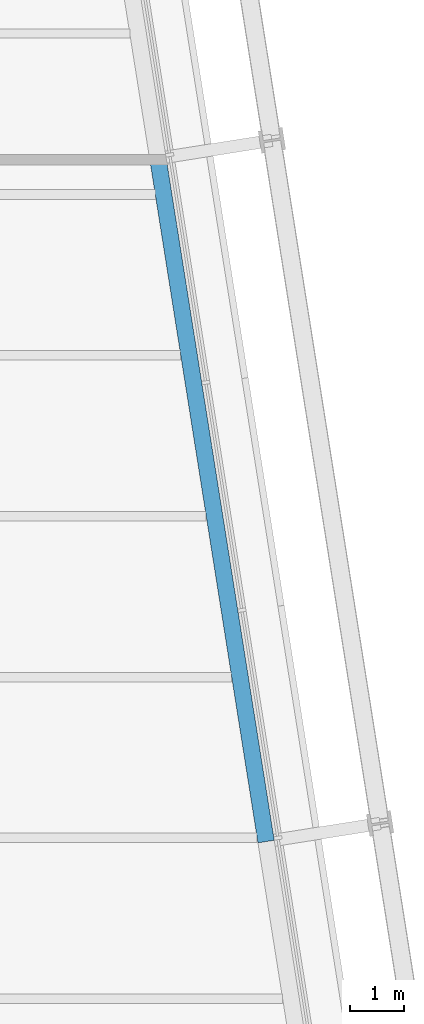
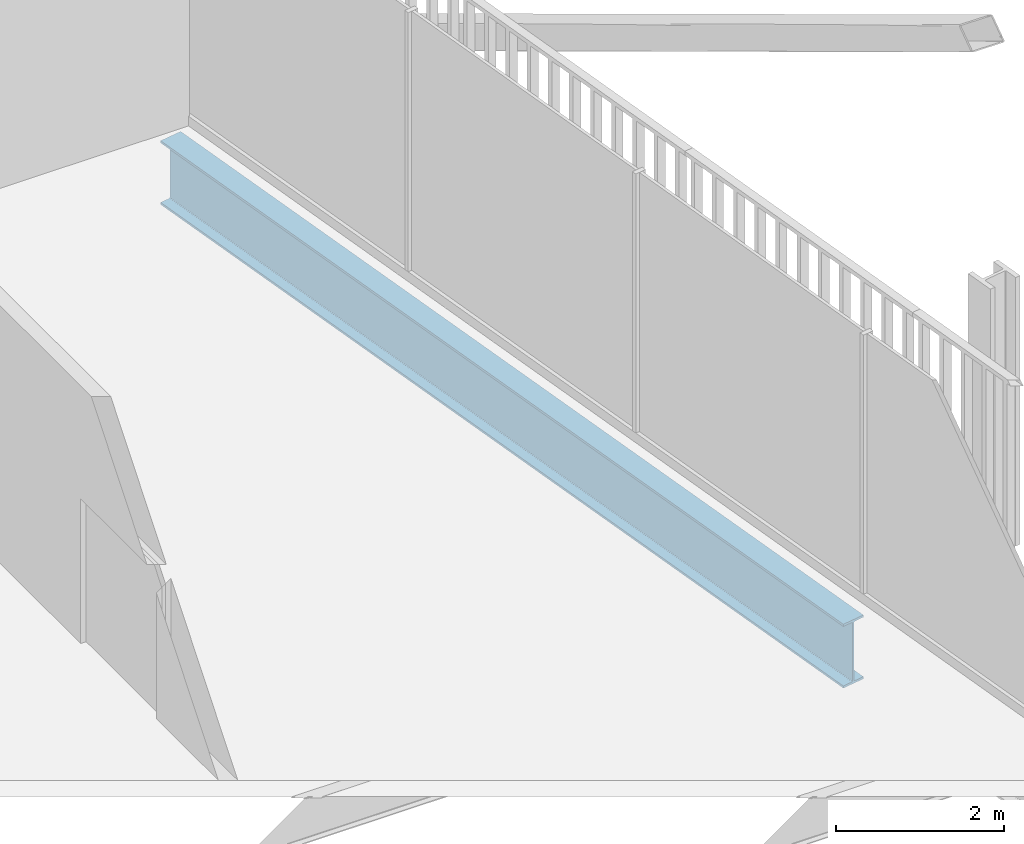
# One storey, part 9 of 22: 1 beam.
"""IFC4 building model written with IfcOpenShell, lengths in metres."""

import ifcopenshell
import ifcopenshell.guid

model = None  # the IFC model being written
_history = None  # IfcOwnerHistory: only IFC2X3 demands one
_inside = {}  # id of a spatial element -> (the spatial element, [elements in it])
_under = {}  # id of a project, library or spatial element -> (it, [spatial elements below it])
_declared = {}  # id of a project -> (the project, [libraries it declares])
_typed = {}  # id of a type object -> (the type object, [elements of that type])
_made_of = {}  # id of a material, layer set ... -> (it, [elements and type objects made of it])


def new_model(schema):
    """Start an empty IFC model of exactly this schema.

    Asked for "IFC4X3", IfcOpenShell would pick the latest addendum, in which some entities
    have other attributes; the version numbers below select the first issue.
    IFC2X3 requires an IfcOwnerHistory on every rooted entity: one is made here for all.
    """
    global model, _history
    if schema == "IFC4X3":
        model = ifcopenshell.file(schema_version=(4, 3, 0, 0))
    else:
        model = ifcopenshell.file(schema=schema)
    _inside.clear()
    _under.clear()
    _declared.clear()
    _typed.clear()
    _made_of.clear()
    _history = None
    if model.schema == "IFC2X3":
        org = make("IfcOrganization", Name="unknown")
        user = make(
            "IfcPersonAndOrganization",
            ThePerson=make("IfcPerson", FamilyName="unknown"),
            TheOrganization=org,
        )
        app = make(
            "IfcApplication",
            ApplicationDeveloper=org,
            Version="unknown",
            ApplicationFullName="unknown",
            ApplicationIdentifier="unknown",
        )
        _history = make(
            "IfcOwnerHistory",
            OwningUser=user,
            OwningApplication=app,
            ChangeAction="ADDED",
            CreationDate=0,
        )
    return model


def make(cls, **values):
    """One entity of the class cls with the attributes given. An attribute that is None is left unset."""
    return model.create_entity(
        cls, **{name: value for name, value in values.items() if value is not None}
    )


def rooted(cls, **values):
    """An entity with a GlobalId (a new one), such as an element, a storey or a relation."""
    return make(cls, GlobalId=ifcopenshell.guid.new(), OwnerHistory=_history, **values)


def si_unit(unit_type, name, prefix=None):
    """IfcSIUnit, for example si_unit("LENGTHUNIT", "METRE", prefix="MILLI")."""
    return make("IfcSIUnit", UnitType=unit_type, Prefix=prefix, Name=name)


def assignment(units):
    """IfcUnitAssignment: the units of a project."""
    return None if units is None else make("IfcUnitAssignment", Units=units)


def point(xyz):
    """IfcCartesianPoint."""
    return None if xyz is None else make("IfcCartesianPoint", Coordinates=xyz)


def direction(xyz):
    """IfcDirection."""
    return None if xyz is None else make("IfcDirection", DirectionRatios=xyz)


def frame(location, z_axis=None, x_axis=None):
    """IfcAxis2Placement3D, a coordinate frame: its origin and axes. An axis left out is left unset."""
    return make(
        "IfcAxis2Placement3D",
        Location=point(location),
        Axis=direction(z_axis),
        RefDirection=direction(x_axis),
    )


def frame_2d(location, x_axis=None):
    """IfcAxis2Placement2D, a coordinate frame in the plane: its origin and x axis."""
    return make(
        "IfcAxis2Placement2D", Location=point(location), RefDirection=direction(x_axis)
    )


def origin():
    """The frame at (0, 0, 0) with its axes left unset."""
    return frame((0.0, 0.0, 0.0))


def origin_2d():
    """The frame at (0, 0) in the plane with its x axis left unset."""
    return frame_2d((0.0, 0.0))


def place(relative_to, where):
    """IfcLocalPlacement: puts the frame where relative to a parent placement (None: the world)."""
    return make(
        "IfcLocalPlacement", PlacementRelTo=relative_to, RelativePlacement=where
    )


def context(
    kind, dimensions, precision=None, world=None, true_north=None, identifier=None
):
    """IfcGeometricRepresentationContext, for example the 3D "Model" context."""
    return make(
        "IfcGeometricRepresentationContext",
        ContextIdentifier=identifier,
        ContextType=kind,
        CoordinateSpaceDimension=dimensions,
        Precision=precision,
        WorldCoordinateSystem=world,
        TrueNorth=true_north,
    )


def subcontext(parent, identifier, kind, view, scale=None):
    """IfcGeometricRepresentationSubContext, for example "Body" below "Model"."""
    return make(
        "IfcGeometricRepresentationSubContext",
        ContextIdentifier=identifier,
        ContextType=kind,
        ParentContext=parent,
        TargetScale=scale,
        TargetView=view,
    )


def project(units=None, contexts=None):
    """IfcProject with its units and contexts."""
    return rooted(
        "IfcProject",
        Name="project",
        RepresentationContexts=contexts,
        UnitsInContext=assignment(units),
    )


def spatial(cls, under=None, at=None, **own):
    """A site, building, storey or space (cls), placed at a placement, below another one or the project."""
    s = rooted(cls, ObjectPlacement=at, **own)
    if under is not None:
        _under.setdefault(under.id(), (under, []))[1].append(s)
    return s


def profile(cls, at=None, kind="AREA", **sizes):
    """A parametric profile (cls). Its sizes go by their IFC names, for example OverallWidth=200.0."""
    return make(cls, ProfileType=kind, Position=at, **sizes)


def i_section(**sizes):
    """IfcIShapeProfileDef."""
    return profile("IfcIShapeProfileDef", **sizes)


def extrude(swept, where, along, depth):
    """IfcExtrudedAreaSolid: the profile swept, set in the frame where, extruded along a direction by depth."""
    return make(
        "IfcExtrudedAreaSolid",
        SweptArea=swept,
        Position=where,
        ExtrudedDirection=direction(along),
        Depth=depth,
    )


def shape(context_of_items, identifier, shape_type, items):
    """IfcShapeRepresentation: the items that make up one representation, for example the "Body"."""
    return make(
        "IfcShapeRepresentation",
        ContextOfItems=context_of_items,
        RepresentationIdentifier=identifier,
        RepresentationType=shape_type,
        Items=items,
    )


def material(Name=None, Category=None):
    """IfcMaterial."""
    return make("IfcMaterial", Name=Name, Category=Category)


def material_profile(
    of_material, cross_section, Name=None, Category=None, Priority=None
):
    """IfcMaterialProfile: a cross section and its material."""
    return make(
        "IfcMaterialProfile",
        Name=Name,
        Material=of_material,
        Profile=cross_section,
        Priority=Priority,
        Category=Category,
    )


def profile_set(profiles, Name=None, composite=None):
    """IfcMaterialProfileSet."""
    return make(
        "IfcMaterialProfileSet",
        Name=Name,
        MaterialProfiles=profiles,
        CompositeProfile=composite,
    )


def made_of(thing, what):
    """Note that an element or type object is made of a material, layer set ...; save() writes the relation."""
    if what is not None:
        _made_of.setdefault(what.id(), (what, []))[1].append(thing)
    return thing


def type_object(cls, material=None, **own):
    """A type object (cls), such as IfcWallType, which elements share."""
    return made_of(rooted(cls, **own), material)


def element(
    cls,
    number,
    at=None,
    inside=None,
    cuts=None,
    type_object=None,
    material=None,
    context=None,
    identifier="Body",
    shape_type=None,
    held_by="IfcProductDefinitionShape",
    body=None,
    shapes=None,
    **own,
):
    """One element of the class cls, such as IfcWall. Its Tag is "e" and its number.

    at: its placement. inside: the storey or other place that contains it. cuts: it is an
    opening in that element (IfcRelVoidsElement). A single representation is given by context,
    identifier, shape_type and body (its items); several are given by shapes. held_by: the class
    of the entity that holds the representations. save() writes the other relations.
    """
    e = rooted(cls, Tag="e%d" % number, ObjectPlacement=at, **own)
    if body is not None:
        shapes = [shape(context, identifier, shape_type, body)]
    if shapes is not None:
        e.Representation = make(held_by, Representations=shapes)
    if inside is not None:
        _inside.setdefault(inside.id(), (inside, []))[1].append(e)
    if cuts is not None:
        rooted(
            "IfcRelVoidsElement", RelatingBuildingElement=cuts, RelatedOpeningElement=e
        )
    if type_object is not None:
        _typed.setdefault(type_object.id(), (type_object, []))[1].append(e)
    return made_of(e, material)


def aggregate(whole, parts):
    """IfcRelAggregates: a whole, such as a stair, and the parts it consists of."""
    return rooted("IfcRelAggregates", RelatingObject=whole, RelatedObjects=parts)


def save(model, path):
    """Write the relations noted so far, then the file.

    IfcRelAggregates (storeys below a building ...), IfcRelContainedInSpatialStructure (elements
    in a storey), IfcRelDefinesByType, IfcRelAssociatesMaterial and IfcRelDeclares: one each for
    every whole, place, type object, material and project.
    """
    for whole, parts in _under.values():
        aggregate(whole, parts)
    for where, things in _inside.values():
        rooted(
            "IfcRelContainedInSpatialStructure",
            RelatedElements=things,
            RelatingStructure=where,
        )
    for kind, things in _typed.values():
        rooted("IfcRelDefinesByType", RelatedObjects=things, RelatingType=kind)
    for what, things in _made_of.values():
        rooted("IfcRelAssociatesMaterial", RelatedObjects=things, RelatingMaterial=what)
    for by, libraries in _declared.values():
        rooted("IfcRelDeclares", RelatingContext=by, RelatedDefinitions=libraries)
    model.write(path)


model = new_model("IFC4")

# Units and contexts
model_context = context("Model", 3, precision=1e-05, world=origin(), true_north=direction((0.0, 1.0)))
body_context = subcontext(model_context, "Body", "Model", "MODEL_VIEW")
ifc_project = project(units=[si_unit("LENGTHUNIT", "METRE"), si_unit("AREAUNIT", "SQUARE_METRE"), si_unit("VOLUMEUNIT", "CUBIC_METRE"), si_unit("PLANEANGLEUNIT", "RADIAN"), si_unit("MASSUNIT", "GRAM", prefix="KILO")], contexts=[model_context])

# Site, building, storey
site_placement = place(None, origin())
site = spatial("IfcSite", under=ifc_project, at=site_placement, CompositionType="ELEMENT")
building_placement = place(site_placement, origin())
building = spatial("IfcBuilding", under=site, at=building_placement, Name="Millrace Tower", CompositionType="ELEMENT")
storey_placement = place(building_placement, frame((0.0, 0.0, 137.300048828125)))
storey = spatial("IfcBuildingStorey", under=building, at=storey_placement, Name="L30", CompositionType="ELEMENT", Elevation=137.300048828125)

# Beam
ifc_material = material(Name="Steel ASTM A992 Grade 50", Category="steel")
ifc_material_profile = material_profile(ifc_material, i_section(OverallWidth=0.307373046875, OverallDepth=0.927001953125, WebThickness=0.01953125, FlangeThickness=0.031982421875, FilletRadius=0.01904296875, at=origin_2d()))
ifc_profile_set = profile_set([ifc_material_profile], Name="Steel ASTM A992 Grade 50")
beam_type = type_object("IfcBeamType", Name="Ring beam medium span W36x194", PredefinedType="SPANDREL", material=ifc_profile_set)
beam_placement = place(storey_placement, frame((23.25, 9.6728515625, -0.62353515625), z_axis=(0.15642030113, -0.987690583834, 0.0), x_axis=(0.987690583834, 0.15642030113, 0.0)))
element("IfcBeam", 1, at=beam_placement, inside=storey, type_object=beam_type, Name="RNG-C-L30-S1-10", PredefinedType="SPANDREL", context=body_context, shape_type="SweptSolid", body=[
    extrude(i_section(OverallWidth=0.307373046875, OverallDepth=0.927001953125, WebThickness=0.01953125, FlangeThickness=0.031982421875, FilletRadius=0.01904296875, at=origin_2d()), origin(), (0.0, 0.0, 1.0), 12.89990234375),
])

save(model, "model.ifc")
